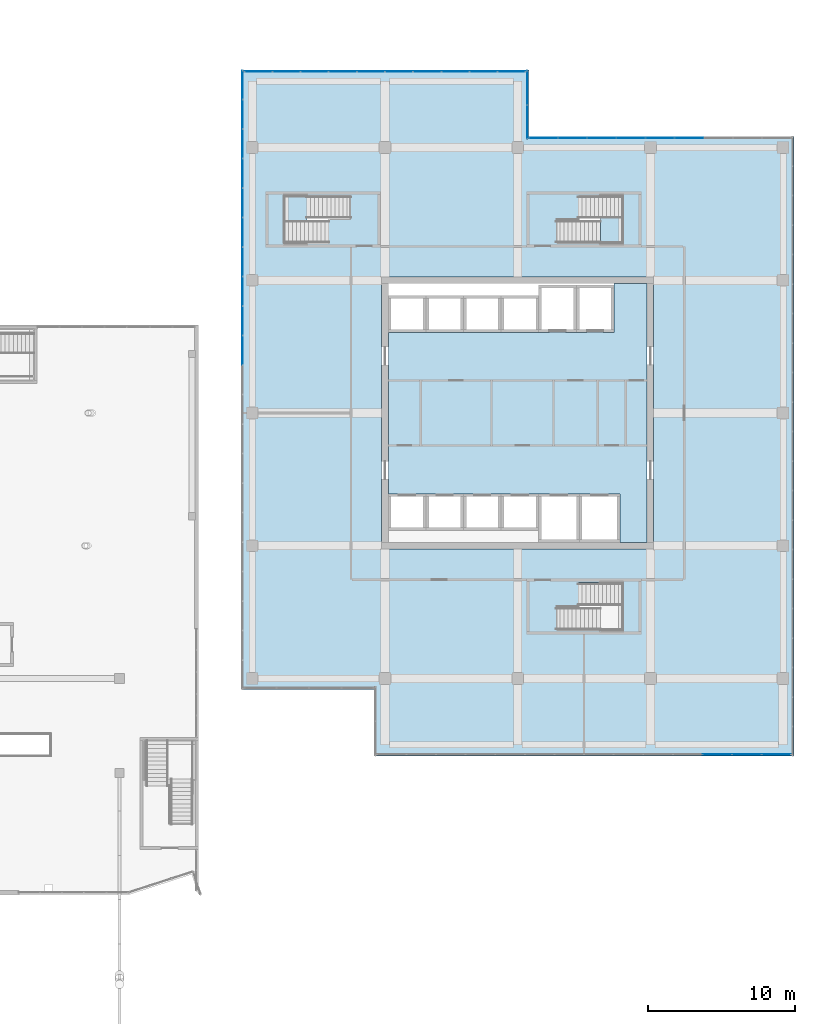
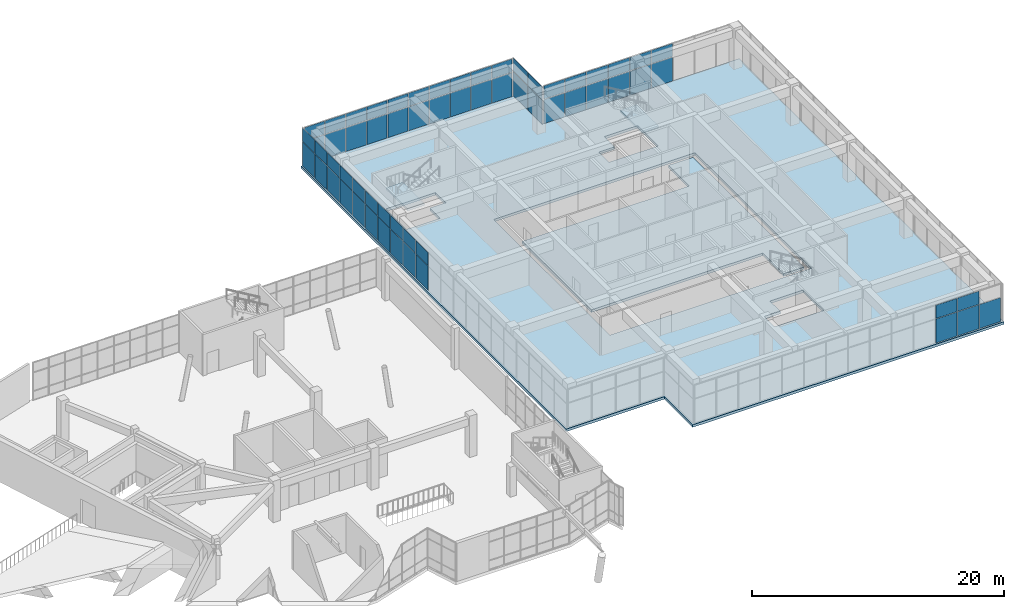
# One storey, part 51 of 65: 61 plates, 4 slabs, 7 elements without a shape of their own.
"""IFC4 building model written with IfcOpenShell, lengths in metres."""

from ifc_helpers import new_model, si_unit, direction, frame, origin, origin_2d, place, context, subcontext, project, spatial, polyline, rectangle, outline, extrude, material, layer, layer_set, type_object, element, aggregate, save


model = new_model("IFC4")

# Units and contexts
model_context = context("Model", 3, precision=1e-05, world=origin(), true_north=direction((0.0, 1.0)))
body_context = subcontext(model_context, "Body", "Model", "MODEL_VIEW")
ifc_project = project(units=[si_unit("LENGTHUNIT", "METRE"), si_unit("AREAUNIT", "SQUARE_METRE"), si_unit("VOLUMEUNIT", "CUBIC_METRE"), si_unit("PLANEANGLEUNIT", "RADIAN"), si_unit("MASSUNIT", "GRAM", prefix="KILO")], contexts=[model_context])

# Site, building, storey
site_placement = place(None, origin())
site = spatial("IfcSite", under=ifc_project, at=site_placement, CompositionType="ELEMENT")
building_placement = place(site_placement, origin())
building = spatial("IfcBuilding", under=site, at=building_placement, Name="Tuart Plaza Theatre", CompositionType="ELEMENT")
storey_placement = place(building_placement, frame((0.0, 0.0, 9.5)))
storey = spatial("IfcBuildingStorey", under=building, at=storey_placement, Name="L02", CompositionType="ELEMENT", Elevation=9.5)

# Curtain wall, plates
ifc_material_1 = material(Name="Aluminium and glass", Category="aluminium")
ifc_layer_1 = layer(ifc_material_1, 0.10009765625)
ifc_layer_set_1 = layer_set([ifc_layer_1], Name="CURTAIN WALL 2000 module")
curtain_wall_type = type_object("IfcCurtainWallType", Name="CURTAIN WALL 2000 module", PredefinedType="NOTDEFINED", material=ifc_layer_set_1)
curtain_wall_1_placement = place(storey_placement, origin())
curtain_wall_1 = element("IfcCurtainWall", 1, at=curtain_wall_1_placement, inside=storey, type_object=curtain_wall_type, Name="CW68", PredefinedType="NOTDEFINED")
ifc_material_2 = material(Name="Glass", Category="glass")
ifc_layer_2 = layer(ifc_material_2, 0.028076171875)
ifc_layer_set_2 = layer_set([ifc_layer_2], Name="CURTAIN PANEL double glazed 28")
plate_type = type_object("IfcPlateType", Name="CURTAIN PANEL double glazed 28", PredefinedType="CURTAIN_PANEL", material=ifc_layer_set_2)
plate_1_placement = place(storey_placement, frame((145.5322265625, 50.85009765625, 0.0498046875), z_axis=(0.0, 0.0, 1.0), x_axis=(1.0, 0.0, 0.0)))
plate_1 = element("IfcPlate", 2, at=plate_1_placement, type_object=plate_type, Name="CW68 panel 12.1", PredefinedType="CURTAIN_PANEL", context=body_context, shape_type="SweptSolid", body=[
    extrude(rectangle(XDim=1.95703125, YDim=0.028076171875, at=origin_2d()), origin(), (0.0, 0.0, 1.0), 2.324951171875),
])
plate_2_placement = place(storey_placement, frame((145.5322265625, 50.85009765625, 2.425048828125), z_axis=(0.0, 0.0, 1.0), x_axis=(1.0, 0.0, 0.0)))
plate_2 = element("IfcPlate", 3, at=plate_2_placement, type_object=plate_type, Name="CW68 panel 12.2", PredefinedType="CURTAIN_PANEL", context=body_context, shape_type="SweptSolid", body=[
    extrude(rectangle(XDim=1.95703125, YDim=0.028076171875, at=origin_2d()), origin(), (0.0, 0.0, 1.0), 1.27490234375),
])
plate_3_placement = place(storey_placement, frame((147.539306640625, 50.85009765625, 0.0498046875), z_axis=(0.0, 0.0, 1.0), x_axis=(1.0, 0.0, 0.0)))
plate_3 = element("IfcPlate", 4, at=plate_3_placement, type_object=plate_type, Name="CW68 panel 13.1", PredefinedType="CURTAIN_PANEL", context=body_context, shape_type="SweptSolid", body=[
    extrude(rectangle(XDim=1.95703125, YDim=0.028076171875, at=origin_2d()), origin(), (0.0, 0.0, 1.0), 2.324951171875),
])
plate_4_placement = place(storey_placement, frame((147.539306640625, 50.85009765625, 2.425048828125), z_axis=(0.0, 0.0, 1.0), x_axis=(1.0, 0.0, 0.0)))
plate_4 = element("IfcPlate", 5, at=plate_4_placement, type_object=plate_type, Name="CW68 panel 13.2", PredefinedType="CURTAIN_PANEL", context=body_context, shape_type="SweptSolid", body=[
    extrude(rectangle(XDim=1.95703125, YDim=0.028076171875, at=origin_2d()), origin(), (0.0, 0.0, 1.0), 1.27490234375),
])
plate_5_placement = place(storey_placement, frame((149.533935546875, 50.85009765625, 0.0498046875), z_axis=(0.0, 0.0, 1.0), x_axis=(1.0, 0.0, 0.0)))
plate_5 = element("IfcPlate", 6, at=plate_5_placement, type_object=plate_type, Name="CW68 panel 14.1", PredefinedType="CURTAIN_PANEL", context=body_context, shape_type="SweptSolid", body=[
    extrude(rectangle(XDim=1.93212890625, YDim=0.028076171875, at=origin_2d()), origin(), (0.0, 0.0, 1.0), 2.324951171875),
])
aggregate(curtain_wall_1, [plate_1, plate_2, plate_3, plate_4, plate_5])

curtain_wall_2_placement = place(storey_placement, origin())
curtain_wall_2 = element("IfcCurtainWall", 7, at=curtain_wall_2_placement, inside=storey, type_object=curtain_wall_type, Name="CW70", PredefinedType="NOTDEFINED")
plate_6_placement = place(storey_placement, frame((143.627685546875, 92.64990234375, 0.0498046875), z_axis=(0.0, 0.0, 1.0), x_axis=(-1.0, 0.0, 0.0)))
plate_6 = element("IfcPlate", 8, at=plate_6_placement, type_object=plate_type, Name="CW70 panel 4.1", PredefinedType="CURTAIN_PANEL", context=body_context, shape_type="SweptSolid", body=[
    extrude(rectangle(XDim=1.927734375, YDim=0.028076171875, at=origin_2d()), origin(), (0.0, 0.0, 1.0), 2.324951171875),
])
plate_7_placement = place(storey_placement, frame((143.627685546875, 92.64990234375, 2.425048828125), z_axis=(0.0, 0.0, 1.0), x_axis=(-1.0, 0.0, 0.0)))
plate_7 = element("IfcPlate", 9, at=plate_7_placement, type_object=plate_type, Name="CW70 panel 4.2", PredefinedType="CURTAIN_PANEL", context=body_context, shape_type="SweptSolid", body=[
    extrude(rectangle(XDim=1.927734375, YDim=0.028076171875, at=origin_2d()), origin(), (0.0, 0.0, 1.0), 1.27490234375),
])
plate_8_placement = place(storey_placement, frame((141.64990234375, 92.64990234375, 0.0498046875), z_axis=(0.0, 0.0, 1.0), x_axis=(-1.0, 0.0, 0.0)))
plate_8 = element("IfcPlate", 10, at=plate_8_placement, type_object=plate_type, Name="CW70 panel 5.1", PredefinedType="CURTAIN_PANEL", context=body_context, shape_type="SweptSolid", body=[
    extrude(rectangle(XDim=1.927734375, YDim=0.028076171875, at=origin_2d()), origin(), (0.0, 0.0, 1.0), 2.324951171875),
])
plate_9_placement = place(storey_placement, frame((141.64990234375, 92.64990234375, 2.425048828125), z_axis=(0.0, 0.0, 1.0), x_axis=(-1.0, 0.0, 0.0)))
plate_9 = element("IfcPlate", 11, at=plate_9_placement, type_object=plate_type, Name="CW70 panel 5.2", PredefinedType="CURTAIN_PANEL", context=body_context, shape_type="SweptSolid", body=[
    extrude(rectangle(XDim=1.927734375, YDim=0.028076171875, at=origin_2d()), origin(), (0.0, 0.0, 1.0), 1.27490234375),
])
plate_10_placement = place(storey_placement, frame((139.672119140625, 92.64990234375, 0.0498046875), z_axis=(0.0, 0.0, 1.0), x_axis=(-1.0, 0.0, 0.0)))
plate_10 = element("IfcPlate", 12, at=plate_10_placement, type_object=plate_type, Name="CW70 panel 6.1", PredefinedType="CURTAIN_PANEL", context=body_context, shape_type="SweptSolid", body=[
    extrude(rectangle(XDim=1.927734375, YDim=0.028076171875, at=origin_2d()), origin(), (0.0, 0.0, 1.0), 2.324951171875),
])
plate_11_placement = place(storey_placement, frame((139.672119140625, 92.64990234375, 2.425048828125), z_axis=(0.0, 0.0, 1.0), x_axis=(-1.0, 0.0, 0.0)))
plate_11 = element("IfcPlate", 13, at=plate_11_placement, type_object=plate_type, Name="CW70 panel 6.2", PredefinedType="CURTAIN_PANEL", context=body_context, shape_type="SweptSolid", body=[
    extrude(rectangle(XDim=1.927734375, YDim=0.028076171875, at=origin_2d()), origin(), (0.0, 0.0, 1.0), 1.27490234375),
])
plate_12_placement = place(storey_placement, frame((137.6943359375, 92.64990234375, 0.0498046875), z_axis=(0.0, 0.0, 1.0), x_axis=(-1.0, 0.0, 0.0)))
plate_12 = element("IfcPlate", 14, at=plate_12_placement, type_object=plate_type, Name="CW70 panel 7.1", PredefinedType="CURTAIN_PANEL", context=body_context, shape_type="SweptSolid", body=[
    extrude(rectangle(XDim=1.927734375, YDim=0.028076171875, at=origin_2d()), origin(), (0.0, 0.0, 1.0), 2.324951171875),
])
plate_13_placement = place(storey_placement, frame((137.6943359375, 92.64990234375, 2.425048828125), z_axis=(0.0, 0.0, 1.0), x_axis=(-1.0, 0.0, 0.0)))
plate_13 = element("IfcPlate", 15, at=plate_13_placement, type_object=plate_type, Name="CW70 panel 7.2", PredefinedType="CURTAIN_PANEL", context=body_context, shape_type="SweptSolid", body=[
    extrude(rectangle(XDim=1.927734375, YDim=0.028076171875, at=origin_2d()), origin(), (0.0, 0.0, 1.0), 1.27490234375),
])
plate_14_placement = place(storey_placement, frame((135.716552734375, 92.64990234375, 0.0498046875), z_axis=(0.0, 0.0, 1.0), x_axis=(-1.0, 0.0, 0.0)))
plate_14 = element("IfcPlate", 16, at=plate_14_placement, type_object=plate_type, Name="CW70 panel 8.1", PredefinedType="CURTAIN_PANEL", context=body_context, shape_type="SweptSolid", body=[
    extrude(rectangle(XDim=1.927734375, YDim=0.028076171875, at=origin_2d()), origin(), (0.0, 0.0, 1.0), 2.324951171875),
])
plate_15_placement = place(storey_placement, frame((135.716552734375, 92.64990234375, 2.425048828125), z_axis=(0.0, 0.0, 1.0), x_axis=(-1.0, 0.0, 0.0)))
plate_15 = element("IfcPlate", 17, at=plate_15_placement, type_object=plate_type, Name="CW70 panel 8.2", PredefinedType="CURTAIN_PANEL", context=body_context, shape_type="SweptSolid", body=[
    extrude(rectangle(XDim=1.927734375, YDim=0.028076171875, at=origin_2d()), origin(), (0.0, 0.0, 1.0), 1.27490234375),
])
plate_16_placement = place(storey_placement, frame((133.75146484375, 92.64990234375, 0.0498046875), z_axis=(0.0, 0.0, 1.0), x_axis=(-1.0, 0.0, 0.0)))
plate_16 = element("IfcPlate", 18, at=plate_16_placement, type_object=plate_type, Name="CW70 panel 9.1", PredefinedType="CURTAIN_PANEL", context=body_context, shape_type="SweptSolid", body=[
    extrude(rectangle(XDim=1.90283203125, YDim=0.028076171875, at=origin_2d()), origin(), (0.0, 0.0, 1.0), 2.324951171875),
])
plate_17_placement = place(storey_placement, frame((133.75146484375, 92.64990234375, 2.425048828125), z_axis=(0.0, 0.0, 1.0), x_axis=(-1.0, 0.0, 0.0)))
plate_17 = element("IfcPlate", 19, at=plate_17_placement, type_object=plate_type, Name="CW70 panel 9.2", PredefinedType="CURTAIN_PANEL", context=body_context, shape_type="SweptSolid", body=[
    extrude(rectangle(XDim=1.90283203125, YDim=0.028076171875, at=origin_2d()), origin(), (0.0, 0.0, 1.0), 1.27490234375),
])
aggregate(curtain_wall_2, [plate_6, plate_7, plate_8, plate_9, plate_10, plate_11, plate_12, plate_13, plate_14, plate_15, plate_16, plate_17])

curtain_wall_3_placement = place(storey_placement, origin())
curtain_wall_3 = element("IfcCurtainWall", 20, at=curtain_wall_3_placement, inside=storey, type_object=curtain_wall_type, Name="CW71", PredefinedType="NOTDEFINED")
plate_18_placement = place(storey_placement, frame((132.64990234375, 93.737548828125, 0.0498046875), z_axis=(0.0, 0.0, 1.0), x_axis=(0.0, 1.0, 0.0)))
plate_18 = element("IfcPlate", 21, at=plate_18_placement, type_object=plate_type, Name="CW71 panel 1.1", PredefinedType="CURTAIN_PANEL", context=body_context, shape_type="SweptSolid", body=[
    extrude(rectangle(XDim=2.27490234375, YDim=0.028076171875, at=origin_2d()), origin(), (0.0, 0.0, 1.0), 2.324951171875),
])
plate_19_placement = place(storey_placement, frame((132.64990234375, 93.737548828125, 2.425048828125), z_axis=(0.0, 0.0, 1.0), x_axis=(0.0, 1.0, 0.0)))
plate_19 = element("IfcPlate", 22, at=plate_19_placement, type_object=plate_type, Name="CW71 panel 1.2", PredefinedType="CURTAIN_PANEL", context=body_context, shape_type="SweptSolid", body=[
    extrude(rectangle(XDim=2.27490234375, YDim=0.028076171875, at=origin_2d()), origin(), (0.0, 0.0, 1.0), 1.27490234375),
])
plate_20_placement = place(storey_placement, frame((132.64990234375, 96.0625, 0.0498046875), z_axis=(0.0, 0.0, 1.0), x_axis=(0.0, 1.0, 0.0)))
plate_20 = element("IfcPlate", 23, at=plate_20_placement, type_object=plate_type, Name="CW71 panel 2.1", PredefinedType="CURTAIN_PANEL", context=body_context, shape_type="SweptSolid", body=[
    extrude(rectangle(XDim=2.27490234375, YDim=0.028076171875, at=origin_2d()), origin(), (0.0, 0.0, 1.0), 2.324951171875),
])
plate_21_placement = place(storey_placement, frame((132.64990234375, 96.0625, 2.425048828125), z_axis=(0.0, 0.0, 1.0), x_axis=(0.0, 1.0, 0.0)))
plate_21 = element("IfcPlate", 24, at=plate_21_placement, type_object=plate_type, Name="CW71 panel 2.2", PredefinedType="CURTAIN_PANEL", context=body_context, shape_type="SweptSolid", body=[
    extrude(rectangle(XDim=2.27490234375, YDim=0.028076171875, at=origin_2d()), origin(), (0.0, 0.0, 1.0), 1.27490234375),
])
aggregate(curtain_wall_3, [plate_18, plate_19, plate_20, plate_21])

curtain_wall_4_placement = place(storey_placement, origin())
curtain_wall_4 = element("IfcCurtainWall", 25, at=curtain_wall_4_placement, inside=storey, type_object=curtain_wall_type, Name="CW72", PredefinedType="NOTDEFINED")
plate_22_placement = place(storey_placement, frame((131.58251953125, 97.14990234375, 0.0498046875), z_axis=(0.0, 0.0, 1.0), x_axis=(-1.0, 0.0, 0.0)))
plate_22 = element("IfcPlate", 26, at=plate_22_placement, type_object=plate_type, Name="CW72 panel 1.1", PredefinedType="CURTAIN_PANEL", context=body_context, shape_type="SweptSolid", body=[
    extrude(rectangle(XDim=1.8349609375, YDim=0.028076171875, at=origin_2d()), origin(), (0.0, 0.0, 1.0), 2.324951171875),
])
plate_23_placement = place(storey_placement, frame((131.58251953125, 97.14990234375, 2.425048828125), z_axis=(0.0, 0.0, 1.0), x_axis=(-1.0, 0.0, 0.0)))
plate_23 = element("IfcPlate", 27, at=plate_23_placement, type_object=plate_type, Name="CW72 panel 1.2", PredefinedType="CURTAIN_PANEL", context=body_context, shape_type="SweptSolid", body=[
    extrude(rectangle(XDim=1.8349609375, YDim=0.028076171875, at=origin_2d()), origin(), (0.0, 0.0, 1.0), 1.27490234375),
])
plate_24_placement = place(storey_placement, frame((129.68505859375, 97.14990234375, 0.0498046875), z_axis=(0.0, 0.0, 1.0), x_axis=(-1.0, 0.0, 0.0)))
plate_24 = element("IfcPlate", 28, at=plate_24_placement, type_object=plate_type, Name="CW72 panel 2.1", PredefinedType="CURTAIN_PANEL", context=body_context, shape_type="SweptSolid", body=[
    extrude(rectangle(XDim=1.860107421875, YDim=0.028076171875, at=origin_2d()), origin(), (0.0, 0.0, 1.0), 2.324951171875),
])
plate_25_placement = place(storey_placement, frame((129.68505859375, 97.14990234375, 2.425048828125), z_axis=(0.0, 0.0, 1.0), x_axis=(-1.0, 0.0, 0.0)))
plate_25 = element("IfcPlate", 29, at=plate_25_placement, type_object=plate_type, Name="CW72 panel 2.2", PredefinedType="CURTAIN_PANEL", context=body_context, shape_type="SweptSolid", body=[
    extrude(rectangle(XDim=1.860107421875, YDim=0.028076171875, at=origin_2d()), origin(), (0.0, 0.0, 1.0), 1.27490234375),
])
plate_26_placement = place(storey_placement, frame((127.77490234375, 97.14990234375, 0.0498046875), z_axis=(0.0, 0.0, 1.0), x_axis=(-1.0, 0.0, 0.0)))
plate_26 = element("IfcPlate", 30, at=plate_26_placement, type_object=plate_type, Name="CW72 panel 3.1", PredefinedType="CURTAIN_PANEL", context=body_context, shape_type="SweptSolid", body=[
    extrude(rectangle(XDim=1.860107421875, YDim=0.028076171875, at=origin_2d()), origin(), (0.0, 0.0, 1.0), 2.324951171875),
])
plate_27_placement = place(storey_placement, frame((127.77490234375, 97.14990234375, 2.425048828125), z_axis=(0.0, 0.0, 1.0), x_axis=(-1.0, 0.0, 0.0)))
plate_27 = element("IfcPlate", 31, at=plate_27_placement, type_object=plate_type, Name="CW72 panel 3.2", PredefinedType="CURTAIN_PANEL", context=body_context, shape_type="SweptSolid", body=[
    extrude(rectangle(XDim=1.860107421875, YDim=0.028076171875, at=origin_2d()), origin(), (0.0, 0.0, 1.0), 1.27490234375),
])
plate_28_placement = place(storey_placement, frame((125.864990234375, 97.14990234375, 0.0498046875), z_axis=(0.0, 0.0, 1.0), x_axis=(-1.0, 0.0, 0.0)))
plate_28 = element("IfcPlate", 32, at=plate_28_placement, type_object=plate_type, Name="CW72 panel 4.1", PredefinedType="CURTAIN_PANEL", context=body_context, shape_type="SweptSolid", body=[
    extrude(rectangle(XDim=1.860107421875, YDim=0.028076171875, at=origin_2d()), origin(), (0.0, 0.0, 1.0), 2.324951171875),
])
plate_29_placement = place(storey_placement, frame((125.864990234375, 97.14990234375, 2.425048828125), z_axis=(0.0, 0.0, 1.0), x_axis=(-1.0, 0.0, 0.0)))
plate_29 = element("IfcPlate", 33, at=plate_29_placement, type_object=plate_type, Name="CW72 panel 4.2", PredefinedType="CURTAIN_PANEL", context=body_context, shape_type="SweptSolid", body=[
    extrude(rectangle(XDim=1.860107421875, YDim=0.028076171875, at=origin_2d()), origin(), (0.0, 0.0, 1.0), 1.27490234375),
])
plate_30_placement = place(storey_placement, frame((123.955078125, 97.14990234375, 0.0498046875), z_axis=(0.0, 0.0, 1.0), x_axis=(-1.0, 0.0, 0.0)))
plate_30 = element("IfcPlate", 34, at=plate_30_placement, type_object=plate_type, Name="CW72 panel 5.1", PredefinedType="CURTAIN_PANEL", context=body_context, shape_type="SweptSolid", body=[
    extrude(rectangle(XDim=1.860107421875, YDim=0.028076171875, at=origin_2d()), origin(), (0.0, 0.0, 1.0), 2.324951171875),
])
plate_31_placement = place(storey_placement, frame((123.955078125, 97.14990234375, 2.425048828125), z_axis=(0.0, 0.0, 1.0), x_axis=(-1.0, 0.0, 0.0)))
plate_31 = element("IfcPlate", 35, at=plate_31_placement, type_object=plate_type, Name="CW72 panel 5.2", PredefinedType="CURTAIN_PANEL", context=body_context, shape_type="SweptSolid", body=[
    extrude(rectangle(XDim=1.860107421875, YDim=0.028076171875, at=origin_2d()), origin(), (0.0, 0.0, 1.0), 1.27490234375),
])
plate_32_placement = place(storey_placement, frame((122.044921875, 97.14990234375, 0.0498046875), z_axis=(0.0, 0.0, 1.0), x_axis=(-1.0, 0.0, 0.0)))
plate_32 = element("IfcPlate", 36, at=plate_32_placement, type_object=plate_type, Name="CW72 panel 6.1", PredefinedType="CURTAIN_PANEL", context=body_context, shape_type="SweptSolid", body=[
    extrude(rectangle(XDim=1.860107421875, YDim=0.028076171875, at=origin_2d()), origin(), (0.0, 0.0, 1.0), 2.324951171875),
])
plate_33_placement = place(storey_placement, frame((122.044921875, 97.14990234375, 2.425048828125), z_axis=(0.0, 0.0, 1.0), x_axis=(-1.0, 0.0, 0.0)))
plate_33 = element("IfcPlate", 37, at=plate_33_placement, type_object=plate_type, Name="CW72 panel 6.2", PredefinedType="CURTAIN_PANEL", context=body_context, shape_type="SweptSolid", body=[
    extrude(rectangle(XDim=1.860107421875, YDim=0.028076171875, at=origin_2d()), origin(), (0.0, 0.0, 1.0), 1.27490234375),
])
plate_34_placement = place(storey_placement, frame((120.135009765625, 97.14990234375, 0.0498046875), z_axis=(0.0, 0.0, 1.0), x_axis=(-1.0, 0.0, 0.0)))
plate_34 = element("IfcPlate", 38, at=plate_34_placement, type_object=plate_type, Name="CW72 panel 7.1", PredefinedType="CURTAIN_PANEL", context=body_context, shape_type="SweptSolid", body=[
    extrude(rectangle(XDim=1.860107421875, YDim=0.028076171875, at=origin_2d()), origin(), (0.0, 0.0, 1.0), 2.324951171875),
])
plate_35_placement = place(storey_placement, frame((120.135009765625, 97.14990234375, 2.425048828125), z_axis=(0.0, 0.0, 1.0), x_axis=(-1.0, 0.0, 0.0)))
plate_35 = element("IfcPlate", 39, at=plate_35_placement, type_object=plate_type, Name="CW72 panel 7.2", PredefinedType="CURTAIN_PANEL", context=body_context, shape_type="SweptSolid", body=[
    extrude(rectangle(XDim=1.860107421875, YDim=0.028076171875, at=origin_2d()), origin(), (0.0, 0.0, 1.0), 1.27490234375),
])
plate_36_placement = place(storey_placement, frame((118.22509765625, 97.14990234375, 0.0498046875), z_axis=(0.0, 0.0, 1.0), x_axis=(-1.0, 0.0, 0.0)))
plate_36 = element("IfcPlate", 40, at=plate_36_placement, type_object=plate_type, Name="CW72 panel 8.1", PredefinedType="CURTAIN_PANEL", context=body_context, shape_type="SweptSolid", body=[
    extrude(rectangle(XDim=1.860107421875, YDim=0.028076171875, at=origin_2d()), origin(), (0.0, 0.0, 1.0), 2.324951171875),
])
plate_37_placement = place(storey_placement, frame((118.22509765625, 97.14990234375, 2.425048828125), z_axis=(0.0, 0.0, 1.0), x_axis=(-1.0, 0.0, 0.0)))
plate_37 = element("IfcPlate", 41, at=plate_37_placement, type_object=plate_type, Name="CW72 panel 8.2", PredefinedType="CURTAIN_PANEL", context=body_context, shape_type="SweptSolid", body=[
    extrude(rectangle(XDim=1.860107421875, YDim=0.028076171875, at=origin_2d()), origin(), (0.0, 0.0, 1.0), 1.27490234375),
])
plate_38_placement = place(storey_placement, frame((116.31494140625, 97.14990234375, 0.0498046875), z_axis=(0.0, 0.0, 1.0), x_axis=(-1.0, 0.0, 0.0)))
plate_38 = element("IfcPlate", 42, at=plate_38_placement, type_object=plate_type, Name="CW72 panel 9.1", PredefinedType="CURTAIN_PANEL", context=body_context, shape_type="SweptSolid", body=[
    extrude(rectangle(XDim=1.860107421875, YDim=0.028076171875, at=origin_2d()), origin(), (0.0, 0.0, 1.0), 2.324951171875),
])
plate_39_placement = place(storey_placement, frame((116.31494140625, 97.14990234375, 2.425048828125), z_axis=(0.0, 0.0, 1.0), x_axis=(-1.0, 0.0, 0.0)))
plate_39 = element("IfcPlate", 43, at=plate_39_placement, type_object=plate_type, Name="CW72 panel 9.2", PredefinedType="CURTAIN_PANEL", context=body_context, shape_type="SweptSolid", body=[
    extrude(rectangle(XDim=1.860107421875, YDim=0.028076171875, at=origin_2d()), origin(), (0.0, 0.0, 1.0), 1.27490234375),
])
plate_40_placement = place(storey_placement, frame((114.41748046875, 97.14990234375, 0.0498046875), z_axis=(0.0, 0.0, 1.0), x_axis=(-1.0, 0.0, 0.0)))
plate_40 = element("IfcPlate", 44, at=plate_40_placement, type_object=plate_type, Name="CW72 panel 10.1", PredefinedType="CURTAIN_PANEL", context=body_context, shape_type="SweptSolid", body=[
    extrude(rectangle(XDim=1.8349609375, YDim=0.028076171875, at=origin_2d()), origin(), (0.0, 0.0, 1.0), 2.324951171875),
])
plate_41_placement = place(storey_placement, frame((114.41748046875, 97.14990234375, 2.425048828125), z_axis=(0.0, 0.0, 1.0), x_axis=(-1.0, 0.0, 0.0)))
plate_41 = element("IfcPlate", 45, at=plate_41_placement, type_object=plate_type, Name="CW72 panel 10.2", PredefinedType="CURTAIN_PANEL", context=body_context, shape_type="SweptSolid", body=[
    extrude(rectangle(XDim=1.8349609375, YDim=0.028076171875, at=origin_2d()), origin(), (0.0, 0.0, 1.0), 1.27490234375),
])
aggregate(curtain_wall_4, [plate_22, plate_23, plate_24, plate_25, plate_26, plate_27, plate_28, plate_29, plate_30, plate_31, plate_32, plate_33, plate_34, plate_35, plate_36, plate_37, plate_38, plate_39, plate_40, plate_41])

curtain_wall_5_placement = place(storey_placement, origin())
curtain_wall_5 = element("IfcCurtainWall", 46, at=curtain_wall_5_placement, inside=storey, type_object=curtain_wall_type, Name="CW73", PredefinedType="NOTDEFINED")
plate_42_placement = place(storey_placement, frame((113.35009765625, 96.237548828125, 0.0498046875), z_axis=(0.0, 0.0, 1.0), x_axis=(0.0, -1.0, 0.0)))
plate_42 = element("IfcPlate", 47, at=plate_42_placement, type_object=plate_type, Name="CW73 panel 1.1", PredefinedType="CURTAIN_PANEL", context=body_context, shape_type="SweptSolid", body=[
    extrude(rectangle(XDim=1.925048828125, YDim=0.028076171875, at=origin_2d()), origin(), (0.0, 0.0, 1.0), 2.324951171875),
])
plate_43_placement = place(storey_placement, frame((113.35009765625, 96.237548828125, 2.425048828125), z_axis=(0.0, 0.0, 1.0), x_axis=(0.0, -1.0, 0.0)))
plate_43 = element("IfcPlate", 48, at=plate_43_placement, type_object=plate_type, Name="CW73 panel 1.2", PredefinedType="CURTAIN_PANEL", context=body_context, shape_type="SweptSolid", body=[
    extrude(rectangle(XDim=1.925048828125, YDim=0.028076171875, at=origin_2d()), origin(), (0.0, 0.0, 1.0), 1.27490234375),
])
plate_44_placement = place(storey_placement, frame((113.35009765625, 94.25, 0.0498046875), z_axis=(0.0, 0.0, 1.0), x_axis=(0.0, -1.0, 0.0)))
plate_44 = element("IfcPlate", 49, at=plate_44_placement, type_object=plate_type, Name="CW73 panel 2.1", PredefinedType="CURTAIN_PANEL", context=body_context, shape_type="SweptSolid", body=[
    extrude(rectangle(XDim=1.949951171875, YDim=0.028076171875, at=origin_2d()), origin(), (0.0, 0.0, 1.0), 2.324951171875),
])
plate_45_placement = place(storey_placement, frame((113.35009765625, 94.25, 2.425048828125), z_axis=(0.0, 0.0, 1.0), x_axis=(0.0, -1.0, 0.0)))
plate_45 = element("IfcPlate", 50, at=plate_45_placement, type_object=plate_type, Name="CW73 panel 2.2", PredefinedType="CURTAIN_PANEL", context=body_context, shape_type="SweptSolid", body=[
    extrude(rectangle(XDim=1.949951171875, YDim=0.028076171875, at=origin_2d()), origin(), (0.0, 0.0, 1.0), 1.27490234375),
])
plate_46_placement = place(storey_placement, frame((113.35009765625, 92.25, 0.0498046875), z_axis=(0.0, 0.0, 1.0), x_axis=(0.0, -1.0, 0.0)))
plate_46 = element("IfcPlate", 51, at=plate_46_placement, type_object=plate_type, Name="CW73 panel 3.1", PredefinedType="CURTAIN_PANEL", context=body_context, shape_type="SweptSolid", body=[
    extrude(rectangle(XDim=1.949951171875, YDim=0.028076171875, at=origin_2d()), origin(), (0.0, 0.0, 1.0), 2.324951171875),
])
plate_47_placement = place(storey_placement, frame((113.35009765625, 92.25, 2.425048828125), z_axis=(0.0, 0.0, 1.0), x_axis=(0.0, -1.0, 0.0)))
plate_47 = element("IfcPlate", 52, at=plate_47_placement, type_object=plate_type, Name="CW73 panel 3.2", PredefinedType="CURTAIN_PANEL", context=body_context, shape_type="SweptSolid", body=[
    extrude(rectangle(XDim=1.949951171875, YDim=0.028076171875, at=origin_2d()), origin(), (0.0, 0.0, 1.0), 1.27490234375),
])
plate_48_placement = place(storey_placement, frame((113.35009765625, 90.25, 0.0498046875), z_axis=(0.0, 0.0, 1.0), x_axis=(0.0, -1.0, 0.0)))
plate_48 = element("IfcPlate", 53, at=plate_48_placement, type_object=plate_type, Name="CW73 panel 4.1", PredefinedType="CURTAIN_PANEL", context=body_context, shape_type="SweptSolid", body=[
    extrude(rectangle(XDim=1.949951171875, YDim=0.028076171875, at=origin_2d()), origin(), (0.0, 0.0, 1.0), 2.324951171875),
])
plate_49_placement = place(storey_placement, frame((113.35009765625, 90.25, 2.425048828125), z_axis=(0.0, 0.0, 1.0), x_axis=(0.0, -1.0, 0.0)))
plate_49 = element("IfcPlate", 54, at=plate_49_placement, type_object=plate_type, Name="CW73 panel 4.2", PredefinedType="CURTAIN_PANEL", context=body_context, shape_type="SweptSolid", body=[
    extrude(rectangle(XDim=1.949951171875, YDim=0.028076171875, at=origin_2d()), origin(), (0.0, 0.0, 1.0), 1.27490234375),
])
plate_50_placement = place(storey_placement, frame((113.35009765625, 88.25, 0.0498046875), z_axis=(0.0, 0.0, 1.0), x_axis=(0.0, -1.0, 0.0)))
plate_50 = element("IfcPlate", 55, at=plate_50_placement, type_object=plate_type, Name="CW73 panel 5.1", PredefinedType="CURTAIN_PANEL", context=body_context, shape_type="SweptSolid", body=[
    extrude(rectangle(XDim=1.949951171875, YDim=0.028076171875, at=origin_2d()), origin(), (0.0, 0.0, 1.0), 2.324951171875),
])
plate_51_placement = place(storey_placement, frame((113.35009765625, 88.25, 2.425048828125), z_axis=(0.0, 0.0, 1.0), x_axis=(0.0, -1.0, 0.0)))
plate_51 = element("IfcPlate", 56, at=plate_51_placement, type_object=plate_type, Name="CW73 panel 5.2", PredefinedType="CURTAIN_PANEL", context=body_context, shape_type="SweptSolid", body=[
    extrude(rectangle(XDim=1.949951171875, YDim=0.028076171875, at=origin_2d()), origin(), (0.0, 0.0, 1.0), 1.27490234375),
])
plate_52_placement = place(storey_placement, frame((113.35009765625, 86.25, 0.0498046875), z_axis=(0.0, 0.0, 1.0), x_axis=(0.0, -1.0, 0.0)))
plate_52 = element("IfcPlate", 57, at=plate_52_placement, type_object=plate_type, Name="CW73 panel 6.1", PredefinedType="CURTAIN_PANEL", context=body_context, shape_type="SweptSolid", body=[
    extrude(rectangle(XDim=1.949951171875, YDim=0.028076171875, at=origin_2d()), origin(), (0.0, 0.0, 1.0), 2.324951171875),
])
plate_53_placement = place(storey_placement, frame((113.35009765625, 86.25, 2.425048828125), z_axis=(0.0, 0.0, 1.0), x_axis=(0.0, -1.0, 0.0)))
plate_53 = element("IfcPlate", 58, at=plate_53_placement, type_object=plate_type, Name="CW73 panel 6.2", PredefinedType="CURTAIN_PANEL", context=body_context, shape_type="SweptSolid", body=[
    extrude(rectangle(XDim=1.949951171875, YDim=0.028076171875, at=origin_2d()), origin(), (0.0, 0.0, 1.0), 1.27490234375),
])
plate_54_placement = place(storey_placement, frame((113.35009765625, 84.25, 0.0498046875), z_axis=(0.0, 0.0, 1.0), x_axis=(0.0, -1.0, 0.0)))
plate_54 = element("IfcPlate", 59, at=plate_54_placement, type_object=plate_type, Name="CW73 panel 7.1", PredefinedType="CURTAIN_PANEL", context=body_context, shape_type="SweptSolid", body=[
    extrude(rectangle(XDim=1.949951171875, YDim=0.028076171875, at=origin_2d()), origin(), (0.0, 0.0, 1.0), 2.324951171875),
])
plate_55_placement = place(storey_placement, frame((113.35009765625, 84.25, 2.425048828125), z_axis=(0.0, 0.0, 1.0), x_axis=(0.0, -1.0, 0.0)))
plate_55 = element("IfcPlate", 60, at=plate_55_placement, type_object=plate_type, Name="CW73 panel 7.2", PredefinedType="CURTAIN_PANEL", context=body_context, shape_type="SweptSolid", body=[
    extrude(rectangle(XDim=1.949951171875, YDim=0.028076171875, at=origin_2d()), origin(), (0.0, 0.0, 1.0), 1.27490234375),
])
plate_56_placement = place(storey_placement, frame((113.35009765625, 82.25, 0.0498046875), z_axis=(0.0, 0.0, 1.0), x_axis=(0.0, -1.0, 0.0)))
plate_56 = element("IfcPlate", 61, at=plate_56_placement, type_object=plate_type, Name="CW73 panel 8.1", PredefinedType="CURTAIN_PANEL", context=body_context, shape_type="SweptSolid", body=[
    extrude(rectangle(XDim=1.949951171875, YDim=0.028076171875, at=origin_2d()), origin(), (0.0, 0.0, 1.0), 2.324951171875),
])
plate_57_placement = place(storey_placement, frame((113.35009765625, 82.25, 2.425048828125), z_axis=(0.0, 0.0, 1.0), x_axis=(0.0, -1.0, 0.0)))
plate_57 = element("IfcPlate", 62, at=plate_57_placement, type_object=plate_type, Name="CW73 panel 8.2", PredefinedType="CURTAIN_PANEL", context=body_context, shape_type="SweptSolid", body=[
    extrude(rectangle(XDim=1.949951171875, YDim=0.028076171875, at=origin_2d()), origin(), (0.0, 0.0, 1.0), 1.27490234375),
])
plate_58_placement = place(storey_placement, frame((113.35009765625, 80.25, 0.0498046875), z_axis=(0.0, 0.0, 1.0), x_axis=(0.0, -1.0, 0.0)))
plate_58 = element("IfcPlate", 63, at=plate_58_placement, type_object=plate_type, Name="CW73 panel 9.1", PredefinedType="CURTAIN_PANEL", context=body_context, shape_type="SweptSolid", body=[
    extrude(rectangle(XDim=1.949951171875, YDim=0.028076171875, at=origin_2d()), origin(), (0.0, 0.0, 1.0), 2.324951171875),
])
plate_59_placement = place(storey_placement, frame((113.35009765625, 80.25, 2.425048828125), z_axis=(0.0, 0.0, 1.0), x_axis=(0.0, -1.0, 0.0)))
plate_59 = element("IfcPlate", 64, at=plate_59_placement, type_object=plate_type, Name="CW73 panel 9.2", PredefinedType="CURTAIN_PANEL", context=body_context, shape_type="SweptSolid", body=[
    extrude(rectangle(XDim=1.949951171875, YDim=0.028076171875, at=origin_2d()), origin(), (0.0, 0.0, 1.0), 1.27490234375),
])
plate_60_placement = place(storey_placement, frame((113.35009765625, 78.25, 0.0498046875), z_axis=(0.0, 0.0, 1.0), x_axis=(0.0, -1.0, 0.0)))
plate_60 = element("IfcPlate", 65, at=plate_60_placement, type_object=plate_type, Name="CW73 panel 10.1", PredefinedType="CURTAIN_PANEL", context=body_context, shape_type="SweptSolid", body=[
    extrude(rectangle(XDim=1.949951171875, YDim=0.028076171875, at=origin_2d()), origin(), (0.0, 0.0, 1.0), 2.324951171875),
])
plate_61_placement = place(storey_placement, frame((113.35009765625, 78.25, 2.425048828125), z_axis=(0.0, 0.0, 1.0), x_axis=(0.0, -1.0, 0.0)))
plate_61 = element("IfcPlate", 66, at=plate_61_placement, type_object=plate_type, Name="CW73 panel 10.2", PredefinedType="CURTAIN_PANEL", context=body_context, shape_type="SweptSolid", body=[
    extrude(rectangle(XDim=1.949951171875, YDim=0.028076171875, at=origin_2d()), origin(), (0.0, 0.0, 1.0), 1.27490234375),
])
aggregate(curtain_wall_5, [plate_42, plate_43, plate_44, plate_45, plate_46, plate_47, plate_48, plate_49, plate_50, plate_51, plate_52, plate_53, plate_54, plate_55, plate_56, plate_57, plate_58, plate_59, plate_60, plate_61])

# Slabs
ifc_material_3 = material(Name="Concrete N40 (40 MPa)", Category="concrete")
ifc_layer_3 = layer(ifc_material_3, 0.25)
ifc_layer_set_3 = layer_set([ifc_layer_3], Name="SLAB Floor 250 Concrete N40 (40 MPa)")
slab_type_1 = type_object("IfcSlabType", Name="SLAB Floor 250 Concrete N40 (40 MPa)", PredefinedType="FLOOR", material=ifc_layer_set_3)
slab_1_placement = place(storey_placement, frame((0.0, 0.0, -0.25)))
element("IfcSlab", 67, at=slab_1_placement, inside=storey, type_object=slab_type_1, Name="S82", PredefinedType="FLOOR", context=body_context, shape_type="SweptSolid", body=[
    extrude(outline(polyline([(150.75, 92.75), (132.75, 92.75), (132.75, 97.25), (113.25, 97.25), (113.25, 55.25), (122.25, 55.25), (122.25, 50.75), (150.75, 50.75), (150.75, 92.75)]), holes=[polyline([(141.22509765625, 64.77490234375), (141.22509765625, 83.22509765625), (122.77490234375, 83.22509765625), (122.77490234375, 64.77490234375), (141.22509765625, 64.77490234375)]), polyline([(136.114990234375, 62.5), (136.114990234375, 60.875), (134.655029296875, 60.875), (134.655029296875, 59.25), (139.169921875, 59.25), (139.169921875, 62.5), (136.114990234375, 62.5)]), polyline([(139.169921875, 88.75), (136.114990234375, 88.75), (136.114990234375, 87.125), (134.655029296875, 87.125), (134.655029296875, 85.5), (139.169921875, 85.5), (139.169921875, 88.75)]), polyline([(116.1298828125, 88.75), (116.1298828125, 85.5), (119.18505859375, 85.5), (119.18505859375, 87.125), (120.64501953125, 87.125), (120.64501953125, 88.75), (116.1298828125, 88.75)])]), origin(), (0.0, 0.0, 1.0), 0.25),
])
slab_2_placement = place(storey_placement, frame((0.0, 0.0, -0.25)))
element("IfcSlab", 68, at=slab_2_placement, inside=storey, type_object=slab_type_1, Name="S83", PredefinedType="FLOOR", context=body_context, shape_type="SweptSolid", body=[
    extrude(outline(polyline([(138.925048828125, 68.52490234375), (138.925048828125, 65.22509765625), (140.77490234375, 65.22509765625), (140.77490234375, 82.77490234375), (138.52490234375, 82.77490234375), (138.52490234375, 79.47509765625), (123.22509765625, 79.47509765625), (123.22509765625, 68.52490234375), (138.925048828125, 68.52490234375)])), origin(), (0.0, 0.0, 1.0), 0.25),
])

# Stair, slab
ifc_material_4 = material(Name="Concrete N40 (40 MPa)", Category="concrete")
stair_type = type_object("IfcStairType", Name="STAIR half turn 1500", PredefinedType="HALF_TURN_STAIR", material=ifc_material_4)
stair_1_placement = place(storey_placement, origin())
stair_1 = element("IfcStair", 69, at=stair_1_placement, inside=storey, type_object=stair_type, Name="SC-8", PredefinedType="HALF_TURN_STAIR")
ifc_material_5 = material(Name="Concrete N40 (40 MPa)", Category="concrete")
ifc_layer_4 = layer(ifc_material_5, 0.199951171875)
ifc_layer_set_4 = layer_set([ifc_layer_4], Name="STAIR LANDING 200")
slab_type_2 = type_object("IfcSlabType", Name="STAIR LANDING 200", PredefinedType="LANDING", material=ifc_layer_set_4)
slab_3_placement = place(storey_placement, frame((0.0, 0.0, 1.800048828125)))
slab_3 = element("IfcSlab", 70, at=slab_3_placement, type_object=slab_type_2, Name="SC-8 landing 1", PredefinedType="LANDING", context=body_context, shape_type="SweptSolid", body=[
    extrude(outline(polyline([(137.60009765625, 85.427001953125), (139.1298828125, 85.427001953125), (139.1298828125, 88.822998046875), (137.60009765625, 88.822998046875), (137.60009765625, 85.427001953125)])), origin(), (0.0, 0.0, 1.0), 0.199951171875),
])
aggregate(stair_1, [slab_3])

stair_2_placement = place(storey_placement, origin())
stair_2 = element("IfcStair", 71, at=stair_2_placement, inside=storey, type_object=stair_type, Name="SC-14", PredefinedType="HALF_TURN_STAIR")
slab_4_placement = place(storey_placement, frame((0.0, 0.0, 1.800048828125)))
slab_4 = element("IfcSlab", 72, at=slab_4_placement, type_object=slab_type_2, Name="SC-14 landing 1", PredefinedType="LANDING", context=body_context, shape_type="SweptSolid", body=[
    extrude(outline(polyline([(117.699951171875, 88.822998046875), (116.169921875, 88.822998046875), (116.169921875, 85.427001953125), (117.699951171875, 85.427001953125), (117.699951171875, 88.822998046875)])), origin(), (0.0, 0.0, 1.0), 0.199951171875),
])
aggregate(stair_2, [slab_4])

save(model, "model.ifc")
